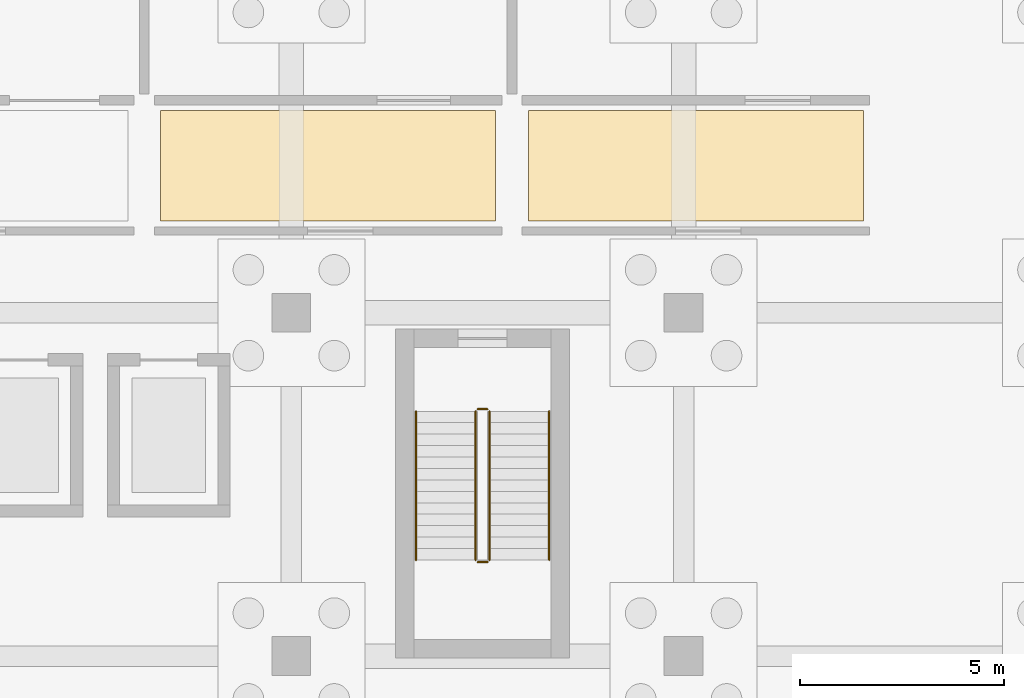
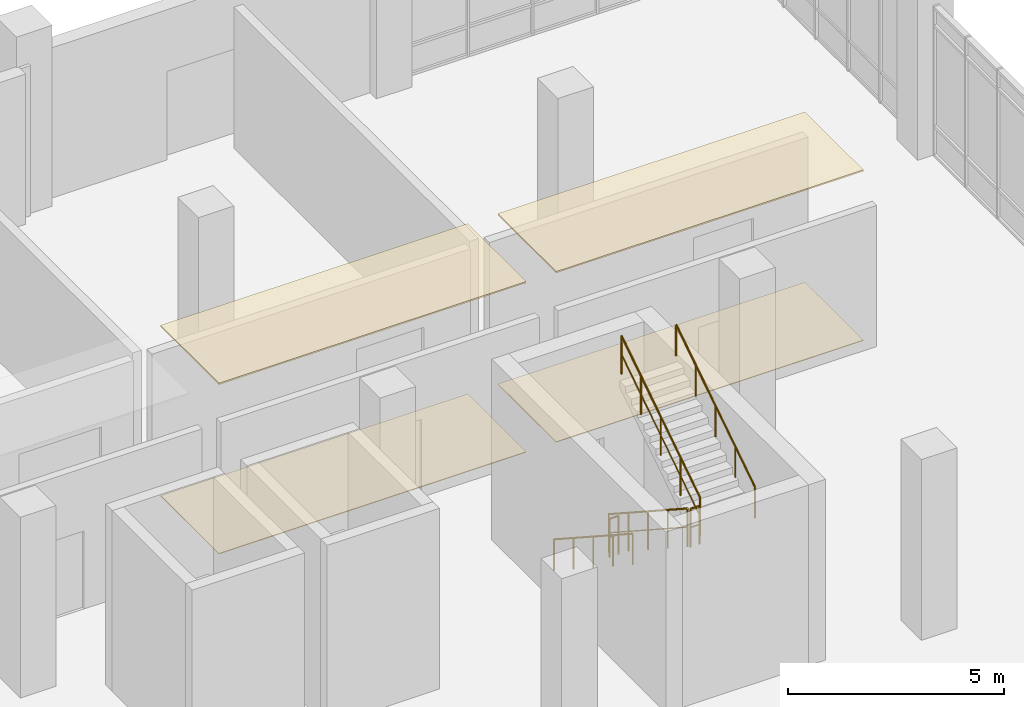
# One storey, part 134 of 136: 6 railings, 4 coverings.
"""IFC4 building model written with IfcOpenShell, lengths in metres."""

from ifc_helpers import new_model, si_unit, direction, frame, origin, origin_2d, place, context, subcontext, project, spatial, polyline, circle, outline, extrude, material, layer, layer_set, type_object, element, save


model = new_model("IFC4")

# Units and contexts
model_context = context("Model", 3, precision=1e-05, world=origin(), true_north=direction((0.0, 1.0)))
body_context = subcontext(model_context, "Body", "Model", "MODEL_VIEW")
ifc_project = project(units=[si_unit("LENGTHUNIT", "METRE"), si_unit("AREAUNIT", "SQUARE_METRE"), si_unit("VOLUMEUNIT", "CUBIC_METRE"), si_unit("PLANEANGLEUNIT", "RADIAN"), si_unit("MASSUNIT", "GRAM", prefix="KILO")], contexts=[model_context])

# Site, building, storey
site_placement = place(None, origin())
site = spatial("IfcSite", under=ifc_project, at=site_placement, CompositionType="ELEMENT")
building_placement = place(site_placement, origin())
building = spatial("IfcBuilding", under=site, at=building_placement, Name="Oolite Switchyard Hospital", CompositionType="ELEMENT")
storey_placement = place(building_placement, origin())
storey = spatial("IfcBuildingStorey", under=building, at=storey_placement, Name="L00", CompositionType="ELEMENT", Elevation=0.0)

# Coverings
ifc_material_1 = material(Name="Hygienic washable mineral-fibre acoustic ceiling")
ifc_layer_1 = layer(ifc_material_1, 0.0400390625)
ifc_layer_set_1 = layer_set([ifc_layer_1], Name="COV-CEIL-AC60")
covering_type_1 = type_object("IfcCoveringType", Name="COV-CEIL-AC60", PredefinedType="CEILING", material=ifc_layer_set_1)
covering_1_placement = place(storey_placement, frame((0.0, 0.0, 4.784912109375)))
element("IfcCovering", 1, at=covering_1_placement, inside=storey, type_object=covering_type_1, Name="L00 East Ground Service and Exit Corridor L00 Ceiling 7", PredefinedType="CEILING", context=body_context, shape_type="SweptSolid", body=[
    extrude(outline(polyline([(188.800048828125, 119.85009765625), (197.0, 119.85009765625), (197.0, 122.550048828125), (188.800048828125, 122.550048828125), (188.800048828125, 119.85009765625)])), origin(), (0.0, 0.0, 1.0), 0.0400390625),
])
covering_2_placement = place(storey_placement, frame((0.0, 0.0, 4.784912109375)))
element("IfcCovering", 2, at=covering_2_placement, inside=storey, type_object=covering_type_1, Name="L00 East Ground Service and Exit Corridor L00 Ceiling 8", PredefinedType="CEILING", context=body_context, shape_type="SweptSolid", body=[
    extrude(outline(polyline([(197.800048828125, 119.85009765625), (206.0, 119.85009765625), (206.0, 122.550048828125), (197.800048828125, 122.550048828125), (197.800048828125, 119.85009765625)])), origin(), (0.0, 0.0, 1.0), 0.0400390625),
])
ifc_material_2 = material(Name="Epoxy terrazzo seamless clinical flooring")
ifc_layer_2 = layer(ifc_material_2, 0.02001953125)
ifc_layer_set_2 = layer_set([ifc_layer_2], Name="COV-FLR-TER20")
covering_type_2 = type_object("IfcCoveringType", Name="COV-FLR-TER20", PredefinedType="FLOORING", material=ifc_layer_set_2)
covering_3_placement = place(storey_placement, origin())
element("IfcCovering", 3, at=covering_3_placement, inside=storey, type_object=covering_type_2, Name="L00 East Ground Service and Exit Corridor L00 Flooring 7", PredefinedType="FLOORING", context=body_context, shape_type="SweptSolid", body=[
    extrude(outline(polyline([(188.800048828125, 119.85009765625), (197.0, 119.85009765625), (197.0, 122.550048828125), (188.800048828125, 122.550048828125), (188.800048828125, 119.85009765625)])), origin(), (0.0, 0.0, 1.0), 0.02001953125),
])
covering_4_placement = place(storey_placement, origin())
element("IfcCovering", 4, at=covering_4_placement, inside=storey, type_object=covering_type_2, Name="L00 East Ground Service and Exit Corridor L00 Flooring 8", PredefinedType="FLOORING", context=body_context, shape_type="SweptSolid", body=[
    extrude(outline(polyline([(197.800048828125, 119.85009765625), (206.0, 119.85009765625), (206.0, 122.550048828125), (197.800048828125, 122.550048828125), (197.800048828125, 119.85009765625)])), origin(), (0.0, 0.0, 1.0), 0.02001953125),
])

# Railings
ifc_material_3 = material(Name="Galvanized painted architectural steel handrail", Category="steel")
railing_type_1 = type_object("IfcRailingType", Name="RL-STAIR-GRD", PredefinedType="GUARDRAIL", material=ifc_material_3)
railing_1_placement = place(storey_placement, frame((196.510009765625, 115.18994140625, 0.18212890625)))
element("IfcRailing", 5, at=railing_1_placement, inside=storey, type_object=railing_type_1, Name="L00 ST-04 stair guard 1", PredefinedType="GUARDRAIL", context=body_context, shape_type="SweptSolid", body=[
    extrude(circle(Radius=0.02392578125, at=origin_2d()), frame((0.0, 0.0, 1.076171875), z_axis=(0.0, -0.838234174257, 0.545310433706), x_axis=(1.0, 0.0, 0.0)), (0.0, 0.0, 1.0), 4.34228515625),
    extrude(circle(Radius=0.015625, at=origin_2d()), frame((0.0, 0.0, 0.550048828125), z_axis=(0.0, -0.838234174257, 0.545310433706), x_axis=(1.0, 0.0, 0.0)), (0.0, 0.0, 1.0), 4.34228515625),
    extrude(circle(Radius=0.02099609375, at=origin_2d()), origin(), (0.0, 0.0, 1.0), 1.052001953125),
    extrude(circle(Radius=0.02099609375, at=origin_2d()), frame((0.0, -0.909912109375, 0.592041015625)), (0.0, 0.0, 1.0), 1.052001953125),
    extrude(circle(Radius=0.02099609375, at=origin_2d()), frame((0.0, -1.81982421875, 1.18408203125)), (0.0, 0.0, 1.0), 1.052001953125),
    extrude(circle(Radius=0.02099609375, at=origin_2d()), frame((0.0, -2.72998046875, 1.77587890625)), (0.0, 0.0, 1.0), 1.052001953125),
    extrude(circle(Radius=0.02099609375, at=origin_2d()), frame((0.0, -3.639892578125, 2.367919921875)), (0.0, 0.0, 1.0), 1.052001953125),
])
railing_2_placement = place(storey_placement, frame((196.56005859375, 111.5, 2.550048828125)))
element("IfcRailing", 6, at=railing_2_placement, inside=storey, type_object=railing_type_1, Name="L00 ST-04 stair guard 2", PredefinedType="GUARDRAIL", context=body_context, shape_type="SweptSolid", body=[
    extrude(circle(Radius=0.02392578125, at=origin_2d()), frame((0.0, 0.0, 1.076171875), z_axis=(1.0, 0.0, 0.0), x_axis=(0.0, 1.0, 0.0)), (0.0, 0.0, 1.0), 0.239990234375),
    extrude(circle(Radius=0.015625, at=origin_2d()), frame((0.0, 0.0, 0.550048828125), z_axis=(1.0, 0.0, 0.0), x_axis=(0.0, 1.0, 0.0)), (0.0, 0.0, 1.0), 0.239990234375),
    extrude(circle(Radius=0.02099609375, at=origin_2d()), origin(), (0.0, 0.0, 1.0), 1.052001953125),
    extrude(circle(Radius=0.02099609375, at=origin_2d()), frame((0.239990234375, 0.0, 0.0)), (0.0, 0.0, 1.0), 1.052001953125),
])
railing_3_placement = place(storey_placement, frame((196.85009765625, 111.550048828125, 2.732177734375)))
element("IfcRailing", 7, at=railing_3_placement, inside=storey, type_object=railing_type_1, Name="L00 ST-04 stair guard 3", PredefinedType="GUARDRAIL", context=body_context, shape_type="SweptSolid", body=[
    extrude(circle(Radius=0.02392578125, at=origin_2d()), frame((0.0, 0.0, 1.076171875), z_axis=(0.0, 0.838234174257, 0.545310433706), x_axis=(-1.0, 0.0, 0.0)), (0.0, 0.0, 1.0), 4.34228515625),
    extrude(circle(Radius=0.015625, at=origin_2d()), frame((0.0, 0.0, 0.550048828125), z_axis=(0.0, 0.838234174257, 0.545310433706), x_axis=(-1.0, 0.0, 0.0)), (0.0, 0.0, 1.0), 4.34228515625),
    extrude(circle(Radius=0.02099609375, at=origin_2d()), origin(), (0.0, 0.0, 1.0), 1.052001953125),
    extrude(circle(Radius=0.02099609375, at=origin_2d()), frame((0.0, 0.909912109375, 0.592041015625)), (0.0, 0.0, 1.0), 1.052001953125),
    extrude(circle(Radius=0.02099609375, at=origin_2d()), frame((0.0, 1.81982421875, 1.18408203125)), (0.0, 0.0, 1.0), 1.052001953125),
    extrude(circle(Radius=0.02099609375, at=origin_2d()), frame((0.0, 2.72998046875, 1.77587890625)), (0.0, 0.0, 1.0), 1.052001953125),
    extrude(circle(Radius=0.02099609375, at=origin_2d()), frame((0.0, 3.639892578125, 2.367919921875)), (0.0, 0.0, 1.0), 1.052001953125),
])
railing_4_placement = place(storey_placement, frame((196.56005859375, 115.239990234375, 0.0)))
element("IfcRailing", 8, at=railing_4_placement, inside=storey, type_object=railing_type_1, Name="L00 ST-04 stair guard 4", PredefinedType="GUARDRAIL", context=body_context, shape_type="SweptSolid", body=[
    extrude(circle(Radius=0.02392578125, at=origin_2d()), frame((0.0, 0.0, 1.076171875), z_axis=(1.0, 0.0, 0.0), x_axis=(0.0, 1.0, 0.0)), (0.0, 0.0, 1.0), 0.239990234375),
    extrude(circle(Radius=0.015625, at=origin_2d()), frame((0.0, 0.0, 0.550048828125), z_axis=(1.0, 0.0, 0.0), x_axis=(0.0, 1.0, 0.0)), (0.0, 0.0, 1.0), 0.239990234375),
    extrude(circle(Radius=0.02099609375, at=origin_2d()), origin(), (0.0, 0.0, 1.0), 1.052001953125),
    extrude(circle(Radius=0.02099609375, at=origin_2d()), frame((0.239990234375, 0.0, 0.0)), (0.0, 0.0, 1.0), 1.052001953125),
])
railing_type_2 = type_object("IfcRailingType", Name="RL-STAIR-HND", PredefinedType="HANDRAIL", material=ifc_material_3)
railing_5_placement = place(storey_placement, frame((195.050048828125, 115.18994140625, 0.18212890625)))
element("IfcRailing", 9, at=railing_5_placement, inside=storey, type_object=railing_type_2, Name="L00 ST-04 stair handrail 1", PredefinedType="HANDRAIL", context=body_context, shape_type="SweptSolid", body=[
    extrude(circle(Radius=0.02392578125, at=origin_2d()), frame((0.0, 0.0, 0.8759765625), z_axis=(0.0, -0.838234174257, 0.545310433706), x_axis=(1.0, 0.0, 0.0)), (0.0, 0.0, 1.0), 4.34228515625),
    extrude(circle(Radius=0.02099609375, at=origin_2d()), origin(), (0.0, 0.0, 1.0), 0.851806640625),
    extrude(circle(Radius=0.02099609375, at=origin_2d()), frame((0.0, -0.909912109375, 0.592041015625)), (0.0, 0.0, 1.0), 0.851806640625),
    extrude(circle(Radius=0.02099609375, at=origin_2d()), frame((0.0, -1.81982421875, 1.18408203125)), (0.0, 0.0, 1.0), 0.851806640625),
    extrude(circle(Radius=0.02099609375, at=origin_2d()), frame((0.0, -2.72998046875, 1.77587890625)), (0.0, 0.0, 1.0), 0.851806640625),
    extrude(circle(Radius=0.02099609375, at=origin_2d()), frame((0.0, -3.639892578125, 2.367919921875)), (0.0, 0.0, 1.0), 0.851806640625),
])
railing_6_placement = place(storey_placement, frame((198.31005859375, 111.550048828125, 2.732177734375)))
element("IfcRailing", 10, at=railing_6_placement, inside=storey, type_object=railing_type_2, Name="L00 ST-04 stair handrail 2", PredefinedType="HANDRAIL", context=body_context, shape_type="SweptSolid", body=[
    extrude(circle(Radius=0.02392578125, at=origin_2d()), frame((0.0, 0.0, 0.8759765625), z_axis=(0.0, 0.838234174257, 0.545310433706), x_axis=(-1.0, 0.0, 0.0)), (0.0, 0.0, 1.0), 4.34228515625),
    extrude(circle(Radius=0.02099609375, at=origin_2d()), origin(), (0.0, 0.0, 1.0), 0.851806640625),
    extrude(circle(Radius=0.02099609375, at=origin_2d()), frame((0.0, 0.909912109375, 0.592041015625)), (0.0, 0.0, 1.0), 0.851806640625),
    extrude(circle(Radius=0.02099609375, at=origin_2d()), frame((0.0, 1.81982421875, 1.18408203125)), (0.0, 0.0, 1.0), 0.851806640625),
    extrude(circle(Radius=0.02099609375, at=origin_2d()), frame((0.0, 2.72998046875, 1.77587890625)), (0.0, 0.0, 1.0), 0.851806640625),
    extrude(circle(Radius=0.02099609375, at=origin_2d()), frame((0.0, 3.639892578125, 2.367919921875)), (0.0, 0.0, 1.0), 0.851806640625),
])

save(model, "model.ifc")
